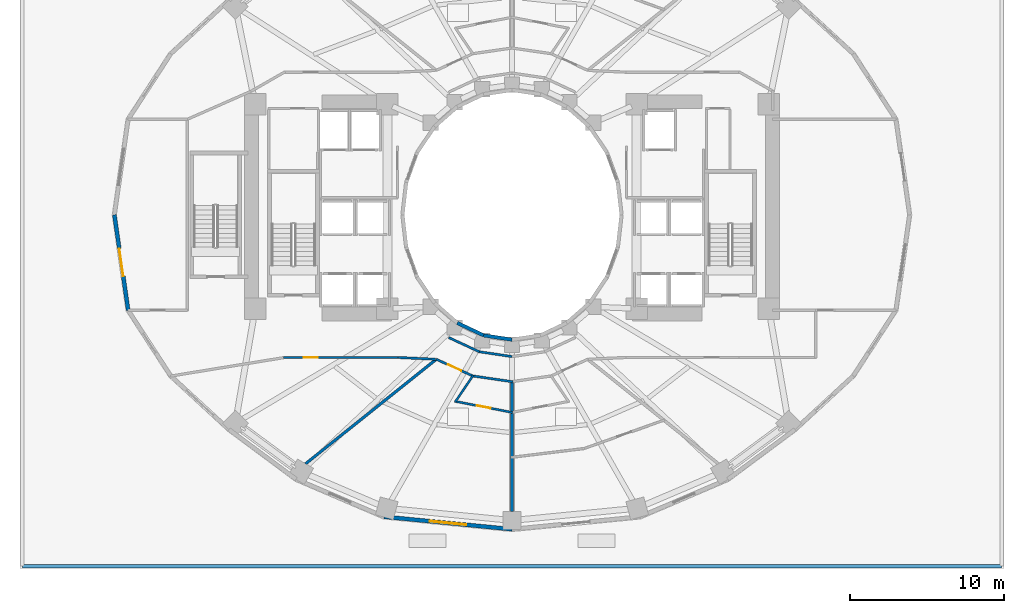
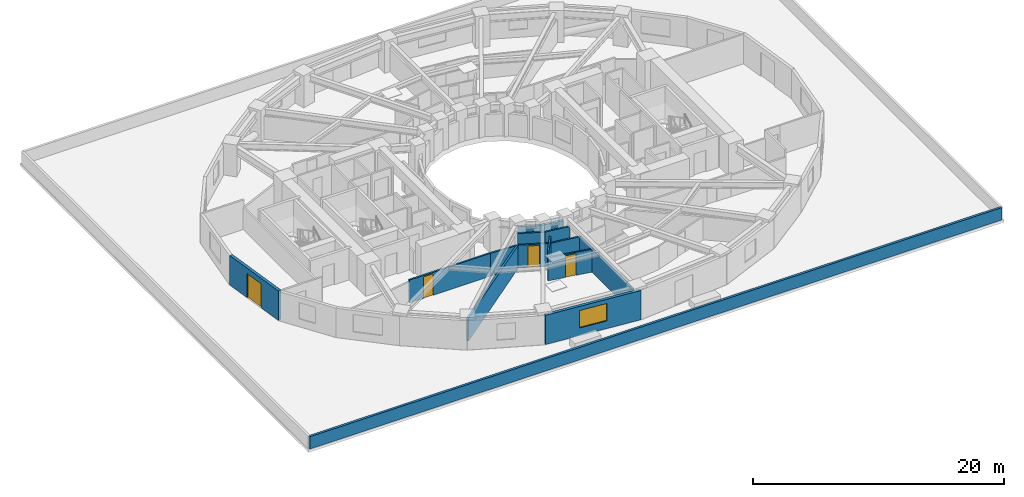
# One storey, part 3 of 10: 15 walls, 4 doors, 1 window, 5 openings.
"""IFC4 building model written with IfcOpenShell, lengths in metres."""

from ifc_helpers import new_model, si_unit, direction, frame, frame_2d, origin, place, context, subcontext, project, spatial, rectangle, extrude, material, layer, layer_set, type_object, element, fill, save


model = new_model("IFC4")

# Units and contexts
model_context = context("Model", 3, precision=1e-05, world=origin(), true_north=direction((0.0, 1.0)))
body_context = subcontext(model_context, "Body", "Model", "MODEL_VIEW")
ifc_project = project(units=[si_unit("LENGTHUNIT", "METRE"), si_unit("AREAUNIT", "SQUARE_METRE"), si_unit("VOLUMEUNIT", "CUBIC_METRE"), si_unit("PLANEANGLEUNIT", "RADIAN"), si_unit("MASSUNIT", "GRAM", prefix="KILO")], contexts=[model_context])

# Site, building, storey
site_placement = place(None, origin())
site = spatial("IfcSite", under=ifc_project, at=site_placement, CompositionType="ELEMENT")
building_placement = place(site_placement, origin())
building = spatial("IfcBuilding", under=site, at=building_placement, Name="Solvane Sanctuary Tower", CompositionType="ELEMENT")
storey_placement = place(building_placement, frame((0.0, 0.0, 27.60009765625)))
storey = spatial("IfcBuildingStorey", under=building, at=storey_placement, Name="L07", CompositionType="ELEMENT", Elevation=27.60009765625)

# Walls
ifc_material_1 = material(Name="Acoustic Gypsum Partition Board")
ifc_layer_1 = layer(ifc_material_1, 0.14990234375, Name="Acoustic Gypsum Partition Board")
ifc_layer_set_1 = layer_set([ifc_layer_1], Name="Acoustic Gypsum Partition Board")
wall_type_1 = type_object("IfcWallType", Name="Wall W-CORR-150", PredefinedType="PARTITIONING", material=ifc_layer_set_1)
wall_1_placement = place(storey_placement, frame((27.889892578125, 15.01513671875, 0.0), z_axis=(0.0, 0.0, 1.0), x_axis=(0.906943449489, -0.421252393975, 0.0)))
element("IfcWall", 1, at=wall_1_placement, inside=storey, type_object=wall_type_1, Name="L07 Light-Well Corridor Rim Wall S1", PredefinedType="PARTITIONING", context=body_context, shape_type="SweptSolid", body=[
    extrude(rectangle(XDim=2.18603515625, YDim=0.14990234375, at=frame_2d((1.093017578125, 0.0))), origin(), (0.0, 0.0, 1.0), 2.23681640625),
])
wall_2_placement = place(storey_placement, frame((29.87255859375, 14.09423828125, 0.0), z_axis=(0.0, 0.0, 1.0), x_axis=(0.989268584896, -0.146108408166, 0.0)))
element("IfcWall", 2, at=wall_2_placement, inside=storey, type_object=wall_type_1, Name="L07 Light-Well Corridor Rim Wall S2", PredefinedType="PARTITIONING", context=body_context, shape_type="SweptSolid", body=[
    extrude(rectangle(XDim=2.150634765625, YDim=0.14990234375, at=frame_2d((1.0751953125, 0.0))), origin(), (0.0, 0.0, 1.0), 2.23681640625),
])
wall_3_placement = place(storey_placement, frame((27.02001953125, 13.606201171875, 0.0), z_axis=(0.0, 0.0, 1.0), x_axis=(-0.998877427952, 0.047369651964, 0.0)))
element("IfcWall", 3, at=wall_3_placement, inside=storey, type_object=wall_type_1, Name="L07 SW Corner Throat Wall", PredefinedType="PARTITIONING", context=body_context, shape_type="SweptSolid", body=[
    extrude(rectangle(XDim=2.4326171875, YDim=0.14990234375, at=frame_2d((1.21630859375, 0.0))), origin(), (0.0, 0.0, 1.0), 2.23681640625),
])

# Wall, opening, door
wall_4_placement = place(storey_placement, frame((17.14990234375, 13.719970703125, 0.0), z_axis=(0.0, 0.0, 1.0), x_axis=(1.0, 0.0, 0.0)))
wall_4 = element("IfcWall", 4, at=wall_4_placement, inside=storey, type_object=wall_type_1, Name="L07 SW Corner Corridor Wall", PredefinedType="PARTITIONING", context=body_context, shape_type="SweptSolid", body=[
    extrude(rectangle(XDim=7.52001953125, YDim=0.14990234375, at=frame_2d((3.760009765625, 0.0))), origin(), (0.0, 0.0, 1.0), 2.23681640625),
])
opening_1_placement = place(wall_4_placement, frame((1.300048828125, 0.0, 0.0)))
opening_1 = element("IfcOpeningElement", 5, at=opening_1_placement, cuts=wall_4, Name="Opening D-L07-16", PredefinedType="OPENING", context=body_context, shape_type="SweptSolid", body=[
    extrude(rectangle(XDim=0.89990234375, YDim=2.10009765625, at=frame_2d((0.449951171875, 1.050048828125))), frame((0.0, 0.0849609375, 0.0), z_axis=(0.0, -1.0, 0.0), x_axis=(1.0, 0.0, 0.0)), (0.0, 0.0, 1.0), 0.169921875),
])
ifc_material_2 = material(Name="Engineered Tropical Hardwood", Category="wood")
door_type_1 = type_object("IfcDoorType", Name="Door D-WET-900", OperationType="NOTDEFINED", PredefinedType="DOOR", material=ifc_material_2)
door_1_placement = place(opening_1_placement, origin())
door_1 = element("IfcDoor", 6, at=door_1_placement, inside=storey, type_object=door_type_1, Name="L07 SW Corner Salon Door", OperationType="SINGLE_SWING_RIGHT", OverallHeight=2.10009765625, OverallWidth=0.89990234375, PredefinedType="DOOR", context=body_context, shape_type="SweptSolid", body=[
    extrude(rectangle(XDim=0.89990234375, YDim=2.10009765625, at=frame_2d((0.449951171875, 1.050048828125))), frame((0.0, 0.02490234375, 0.0), z_axis=(0.0, -1.0, 0.0), x_axis=(1.0, 0.0, 0.0)), (0.0, 0.0, 1.0), 0.050048828125),
])
fill(opening_1, door_1)

# Wall
wall_5_placement = place(storey_placement, frame((29.401123046875, 12.52685546875, 0.0), z_axis=(0.0, 0.0, 1.0), x_axis=(0.989649898776, -0.143502884474, 0.0)))
element("IfcWall", 7, at=wall_5_placement, inside=storey, type_object=wall_type_1, Name="L07 En-suite Inner Wall S1", PredefinedType="PARTITIONING", context=body_context, shape_type="SweptSolid", body=[
    extrude(rectangle(XDim=2.676025390625, YDim=0.14990234375, at=frame_2d((1.337890625, 0.0))), origin(), (0.0, 0.0, 1.0), 2.23681640625),
])

# Wall, opening, door
wall_6_placement = place(storey_placement, frame((27.069091796875, 13.607421875, 0.0), z_axis=(0.0, 0.0, 1.0), x_axis=(0.909747571199, -0.415161843982, 0.0)))
wall_6 = element("IfcWall", 8, at=wall_6_placement, inside=storey, type_object=wall_type_1, Name="L07 Unit Corridor Wall S1", PredefinedType="PARTITIONING", context=body_context, shape_type="SweptSolid", body=[
    extrude(rectangle(XDim=2.625, YDim=0.14990234375, at=frame_2d((1.3125, 0.0))), origin(), (0.0, 0.0, 1.0), 2.23681640625),
])
opening_2_placement = place(wall_6_placement, frame((0.837646484375, 0.0, 0.0)))
opening_2 = element("IfcOpeningElement", 9, at=opening_2_placement, cuts=wall_6, Name="Opening D-L07-24", PredefinedType="OPENING", context=body_context, shape_type="SweptSolid", body=[
    extrude(rectangle(XDim=0.949951171875, YDim=2.10009765625, at=frame_2d((0.47509765625, 1.050048828125))), frame((0.0, 0.0849609375, 0.0), z_axis=(0.0, -1.0, 0.0), x_axis=(1.0, 0.0, 0.0)), (0.0, 0.0, 1.0), 0.169921875),
])
door_type_2 = type_object("IfcDoorType", Name="Door D-ROOM-950", OperationType="NOTDEFINED", PredefinedType="DOOR", material=ifc_material_2)
door_2_placement = place(opening_2_placement, origin())
door_2 = element("IfcDoor", 10, at=door_2_placement, inside=storey, type_object=door_type_2, Name="L07 Unit Entrance Door S1", OperationType="SINGLE_SWING_RIGHT", OverallHeight=2.10009765625, OverallWidth=0.949951171875, PredefinedType="DOOR", context=body_context, shape_type="SweptSolid", body=[
    extrude(rectangle(XDim=0.949951171875, YDim=2.10009765625, at=frame_2d((0.47509765625, 1.050048828125))), frame((0.0, 0.02490234375, 0.0), z_axis=(0.0, -1.0, 0.0), x_axis=(1.0, 0.0, 0.0)), (0.0, 0.0, 1.0), 0.050048828125),
])
fill(opening_2, door_2)

ifc_material_3 = material(Name="Precast concrete C40/50", Category="concrete")
ifc_layer_2 = layer(ifc_material_3, 0.260009765625, Name="Precast concrete C40/50")
ifc_layer_set_2 = layer_set([ifc_layer_2], Name="Precast concrete C40/50")
wall_type_2 = type_object("IfcWallType", Name="Wall W-EXT-250", PredefinedType="STANDARD", material=ifc_layer_set_2)
wall_7_placement = place(storey_placement, frame((6.139892578125, 23.0, 0.0), z_axis=(0.0, 0.0, 1.0), x_axis=(0.142528001686, -0.989790770181, 0.0)))
wall_7 = element("IfcWall", 11, at=wall_7_placement, inside=storey, type_object=wall_type_2, Name="L07 Terrace Access Facade Wall 12", PredefinedType="STANDARD", context=body_context, shape_type="SweptSolid", body=[
    extrude(rectangle(XDim=6.269287109375, YDim=0.260009765625, at=frame_2d((3.134765625, 0.0))), origin(), (0.0, 0.0, 1.0), 2.8798828125),
])
opening_3_placement = place(wall_7_placement, frame((2.234619140625, 0.0, 0.0)))
opening_3 = element("IfcOpeningElement", 12, at=opening_3_placement, cuts=wall_7, Name="Opening D-L07-03", PredefinedType="OPENING", context=body_context, shape_type="SweptSolid", body=[
    extrude(rectangle(XDim=1.800048828125, YDim=2.35009765625, at=frame_2d((0.89990234375, 1.175048828125))), frame((0.0, 0.139892578125, 0.0), z_axis=(0.0, -1.0, 0.0), x_axis=(1.0, 0.0, 0.0)), (0.0, 0.0, 1.0), 0.280029296875),
])
ifc_material_4 = material(Name="Anodised Aluminium 6063-T6", Category="aluminium")
door_type_3 = type_object("IfcDoorType", Name="Door D-TERR-1800", OperationType="NOTDEFINED", PredefinedType="DOOR", material=ifc_material_4)
door_3_placement = place(opening_3_placement, origin())
door_3 = element("IfcDoor", 13, at=door_3_placement, inside=storey, type_object=door_type_3, Name="L07 Podium Sky Terrace Door 12", OperationType="SINGLE_SWING_RIGHT", OverallHeight=2.35009765625, OverallWidth=1.800048828125, PredefinedType="DOOR", context=body_context, shape_type="SweptSolid", body=[
    extrude(rectangle(XDim=1.800048828125, YDim=2.35009765625, at=frame_2d((0.89990234375, 1.175048828125))), frame((0.0, 0.02490234375, 0.0), z_axis=(0.0, -1.0, 0.0), x_axis=(1.0, 0.0, 0.0)), (0.0, 0.0, 1.0), 0.050048828125),
])
fill(opening_3, door_3)

# Wall, opening, window
wall_8_placement = place(storey_placement, frame((23.668212890625, 3.36376953125, 0.0), z_axis=(0.0, 0.0, 1.0), x_axis=(0.995247718352, -0.097375454379, 0.0)))
wall_8 = element("IfcWall", 14, at=wall_8_placement, inside=storey, type_object=wall_type_2, Name="L07 Ceramic-Printed Facade Wall 17", PredefinedType="STANDARD", context=body_context, shape_type="SweptSolid", body=[
    extrude(rectangle(XDim=8.37158203125, YDim=0.260009765625, at=frame_2d((4.185791015625, 0.0))), origin(), (0.0, 0.0, 1.0), 2.849853515625),
])
opening_4_placement = place(wall_8_placement, frame((2.985595703125, 0.0, 0.75)))
opening_4 = element("IfcOpeningElement", 15, at=opening_4_placement, cuts=wall_8, Name="Opening WN-RIB-2400", PredefinedType="OPENING", context=body_context, shape_type="SweptSolid", body=[
    extrude(rectangle(XDim=2.39990234375, YDim=1.699951171875, at=frame_2d((1.199951171875, 0.85009765625))), frame((0.0, 0.139892578125, 0.0), z_axis=(0.0, -1.0, 0.0), x_axis=(1.0, 0.0, 0.0)), (0.0, 0.0, 1.0), 0.280029296875),
])
ifc_material_5 = material(Name="Dark Ceramic-Fritted Low-E Glass", Category="glass")
window_type = type_object("IfcWindowType", Name="Window WN-RIB-2400", PartitioningType="SINGLE_PANEL", PredefinedType="WINDOW", material=ifc_material_5)
window_placement = place(opening_4_placement, origin())
window = element("IfcWindow", 16, at=window_placement, inside=storey, type_object=window_type, Name="L07 Operable Facade Window 17", OverallHeight=1.699951171875, OverallWidth=2.39990234375, PartitioningType="SINGLE_PANEL", PredefinedType="WINDOW", context=body_context, shape_type="SweptSolid", body=[
    extrude(rectangle(XDim=2.39990234375, YDim=1.699951171875, at=frame_2d((1.199951171875, 0.85009765625))), frame((0.0, 0.030029296875, 0.0), z_axis=(0.0, -1.0, 0.0), x_axis=(1.0, 0.0, 0.0)), (0.0, 0.0, 1.0), 0.06005859375),
])
fill(opening_4, window)

# Walls
ifc_layer_3 = layer(ifc_material_3, 0.22998046875, Name="Precast concrete C40/50")
ifc_layer_set_3 = layer_set([ifc_layer_3], Name="Precast concrete C40/50")
wall_type_3 = type_object("IfcWallType", Name="Wall W-EXT-SP220", PredefinedType="STANDARD", material=ifc_layer_set_3)
wall_9_placement = place(storey_placement, frame((28.43994140625, 15.968017578125, 0.0), z_axis=(0.0, 0.0, 1.0), x_axis=(0.904179699603, -0.427152280606, 0.0)))
element("IfcWall", 17, at=wall_9_placement, inside=storey, type_object=wall_type_3, Name="L07 Central Light-Well Wall 16", PredefinedType="STANDARD", context=body_context, shape_type="SweptSolid", body=[
    extrude(rectangle(XDim=1.899169921875, YDim=0.22998046875, at=frame_2d((0.94970703125, 0.0))), origin(), (0.0, 0.0, 1.0), 2.159912109375),
])
wall_10_placement = place(storey_placement, frame((30.1572265625, 15.15673828125, 0.0), z_axis=(0.0, 0.0, 1.0), x_axis=(0.988901730308, -0.148571086668, 0.0)))
element("IfcWall", 18, at=wall_10_placement, inside=storey, type_object=wall_type_3, Name="L07 Central Light-Well Wall 17", PredefinedType="STANDARD", context=body_context, shape_type="SweptSolid", body=[
    extrude(rectangle(XDim=1.863525390625, YDim=0.22998046875, at=frame_2d((0.931640625, 0.0))), origin(), (0.0, 0.0, 1.0), 2.159912109375),
])
ifc_layer_4 = layer(ifc_material_3, 0.2099609375, Name="Precast concrete C40/50")
ifc_layer_set_4 = layer_set([ifc_layer_4], Name="Precast concrete C40/50")
wall_type_4 = type_object("IfcWallType", Name="Wall W-PARAPET-200", PredefinedType="PARAPET", material=ifc_layer_set_4)
wall_11_placement = place(storey_placement, frame((0.14990234375, 0.14990234375, 0.0), z_axis=(0.0, 0.0, 1.0), x_axis=(1.0, 0.0, 0.0)))
element("IfcWall", 19, at=wall_11_placement, inside=storey, type_object=wall_type_4, Name="L07 Podium Roof Perimeter Parapet S", PredefinedType="PARAPET", context=body_context, shape_type="SweptSolid", body=[
    extrude(rectangle(XDim=63.7001953125, YDim=0.2099609375, at=frame_2d((31.85009765625, 0.0))), origin(), (0.0, 0.0, 1.0), 1.199951171875),
])
ifc_layer_5 = layer(ifc_material_1, 0.179931640625, Name="Acoustic Gypsum Partition Board")
ifc_layer_set_5 = layer_set([ifc_layer_5], Name="Acoustic Gypsum Partition Board")
wall_type_5 = type_object("IfcWallType", Name="Wall W-UNIT-180", PredefinedType="PARTITIONING", material=ifc_layer_set_5)
wall_12_placement = place(storey_placement, frame((27.031982421875, 13.5693359375, 0.0), z_axis=(0.0, 0.0, 1.0), x_axis=(-0.781055486744, -0.624461629428, 0.0)))
element("IfcWall", 20, at=wall_12_placement, inside=storey, type_object=wall_type_5, Name="L07 Radial Compartment Wall 240", PredefinedType="PARTITIONING", context=body_context, shape_type="SweptSolid", body=[
    extrude(rectangle(XDim=10.84326171875, YDim=0.179931640625, at=frame_2d((5.421630859375, 0.0))), origin(), (0.0, 0.0, 1.0), 2.23681640625),
])
wall_13_placement = place(storey_placement, frame((32.0, 12.094970703125, 0.0), z_axis=(0.0, 0.0, 1.0), x_axis=(0.0, -1.0, 0.0)))
element("IfcWall", 21, at=wall_13_placement, inside=storey, type_object=wall_type_5, Name="L07 Radial Compartment Wall 270", PredefinedType="PARTITIONING", context=body_context, shape_type="SweptSolid", body=[
    extrude(rectangle(XDim=8.39501953125, YDim=0.179931640625, at=frame_2d((4.197509765625, 0.0))), origin(), (0.0, 0.0, 1.0), 2.23681640625),
])
ifc_layer_6 = layer(ifc_material_1, 0.139892578125, Name="Acoustic Gypsum Partition Board")
ifc_layer_set_6 = layer_set([ifc_layer_6], Name="Acoustic Gypsum Partition Board")
wall_type_6 = type_object("IfcWallType", Name="Wall W-WET-140", PredefinedType="PLUMBINGWALL", material=ifc_layer_set_6)
wall_14_placement = place(storey_placement, frame((29.478515625, 12.56103515625, 0.0), z_axis=(0.0, 0.0, 1.0), x_axis=(-0.56056273171, -0.828111963335, 0.0)))
element("IfcWall", 22, at=wall_14_placement, inside=storey, type_object=wall_type_6, Name="L07 En-suite Side Partition S1", PredefinedType="PLUMBINGWALL", context=body_context, shape_type="SweptSolid", body=[
    extrude(rectangle(XDim=2.099609375, YDim=0.139892578125, at=frame_2d((1.0498046875, 0.0))), origin(), (0.0, 0.0, 1.0), 2.85498046875),
])

# Wall, opening, door
wall_15_placement = place(storey_placement, frame((28.2802734375, 10.873046875, 0.0), z_axis=(0.0, 0.0, 1.0), x_axis=(0.981623000654, -0.190830512727, 0.0)))
wall_15 = element("IfcWall", 23, at=wall_15_placement, inside=storey, type_object=wall_type_6, Name="L07 En-suite Bedroom Wall S1", PredefinedType="PLUMBINGWALL", context=body_context, shape_type="SweptSolid", body=[
    extrude(rectangle(XDim=3.83935546875, YDim=0.139892578125, at=frame_2d((1.919677734375, 0.0))), origin(), (0.0, 0.0, 1.0), 2.23681640625),
])
opening_5_placement = place(wall_15_placement, frame((1.4697265625, 0.0, 0.0)))
opening_5 = element("IfcOpeningElement", 24, at=opening_5_placement, cuts=wall_15, Name="Opening D-L07-23", PredefinedType="OPENING", context=body_context, shape_type="SweptSolid", body=[
    extrude(rectangle(XDim=0.89990234375, YDim=2.10009765625, at=frame_2d((0.449951171875, 1.050048828125))), frame((0.0, 0.079833984375, 0.0), z_axis=(0.0, -1.0, 0.0), x_axis=(1.0, 0.0, 0.0)), (0.0, 0.0, 1.0), 0.159912109375),
])
door_4_placement = place(opening_5_placement, origin())
door_4 = element("IfcDoor", 25, at=door_4_placement, inside=storey, type_object=door_type_1, Name="L07 En-suite Bathroom Door S1", OperationType="SINGLE_SWING_LEFT", OverallHeight=2.10009765625, OverallWidth=0.89990234375, PredefinedType="DOOR", context=body_context, shape_type="SweptSolid", body=[
    extrude(rectangle(XDim=0.89990234375, YDim=2.10009765625, at=frame_2d((0.449951171875, 1.050048828125))), frame((0.0, 0.02490234375, 0.0), z_axis=(0.0, -1.0, 0.0), x_axis=(1.0, 0.0, 0.0)), (0.0, 0.0, 1.0), 0.050048828125),
])
fill(opening_5, door_4)

save(model, "model.ifc")
